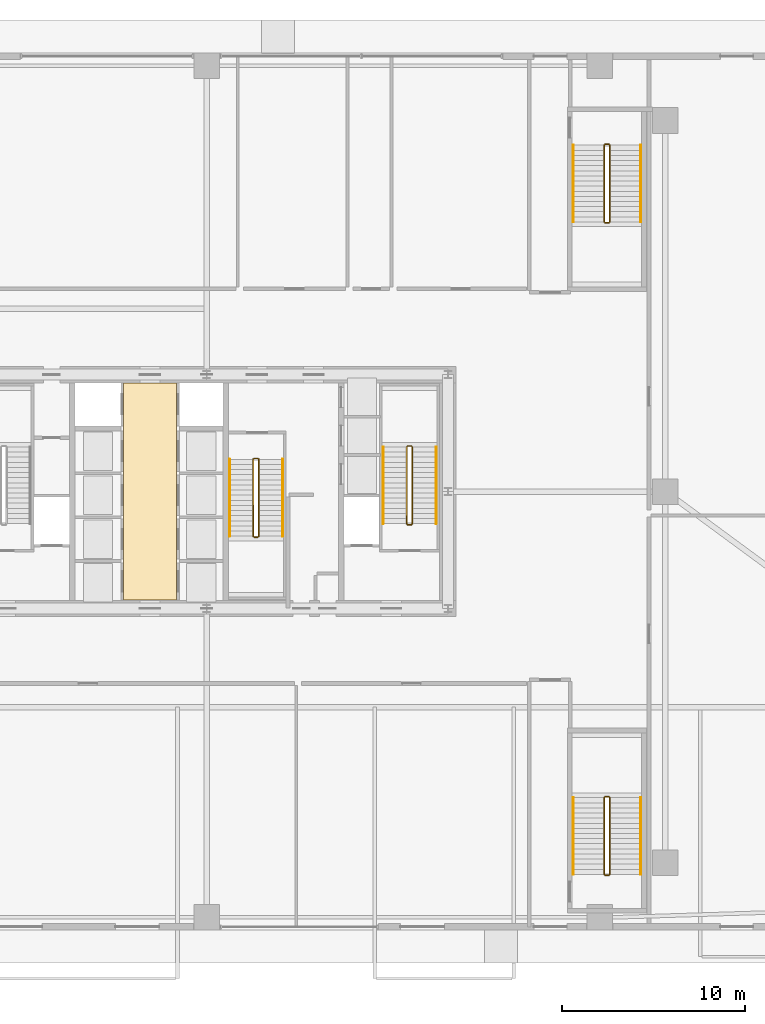
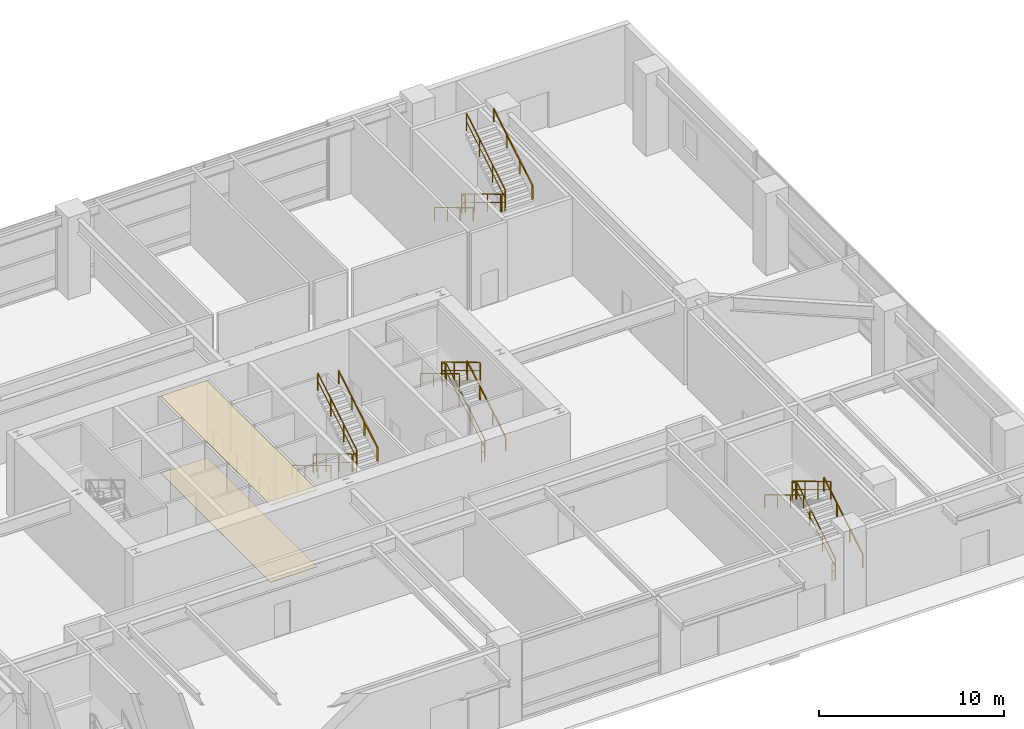
# One storey, part 31 of 32: 24 railings, 2 coverings.
"""IFC4 building model written with IfcOpenShell, lengths in metres."""

from ifc_helpers import new_model, si_unit, direction, frame, origin, origin_2d, place, context, subcontext, project, spatial, polyline, rectangle, outline, extrude, source, transform, mapped, material, layer, layer_set, type_object, element, save


model = new_model("IFC4")

# Units and contexts
model_context = context("Model", 3, precision=1e-05, world=origin(), true_north=direction((0.0, 1.0)))
body_context = subcontext(model_context, "Body", "Model", "MODEL_VIEW")
ifc_project = project(units=[si_unit("LENGTHUNIT", "METRE"), si_unit("AREAUNIT", "SQUARE_METRE"), si_unit("VOLUMEUNIT", "CUBIC_METRE"), si_unit("PLANEANGLEUNIT", "RADIAN"), si_unit("MASSUNIT", "GRAM", prefix="KILO"), si_unit("THERMODYNAMICTEMPERATUREUNIT", "KELVIN"), si_unit("POWERUNIT", "WATT")], contexts=[model_context])

# Site, building, storey
site_placement = place(None, origin())
site = spatial("IfcSite", under=ifc_project, at=site_placement, CompositionType="ELEMENT")
building_placement = place(site_placement, origin())
building = spatial("IfcBuilding", under=site, at=building_placement, Name="Yuzanri Waterfront Tower", CompositionType="ELEMENT")
storey_placement = place(building_placement, origin())
storey = spatial("IfcBuildingStorey", under=building, at=storey_placement, Name="L01", CompositionType="ELEMENT", Elevation=0.0)

# Coverings
ifc_material_1 = material(Name="Anodized Architectural Bronze", Category="metal")
ifc_layer_1 = layer(ifc_material_1, 0.0400390625)
ifc_layer_set_1 = layer_set([ifc_layer_1], Name="Anodized Architectural Bronze")
covering_type_1 = type_object("IfcCoveringType", Name="Anodized Bronze Linear Baffle Lobby Ceiling 40", PredefinedType="CEILING", material=ifc_layer_set_1)
covering_1_placement = place(storey_placement, frame((0.0, 0.0, 5.080078125)))
element("IfcCovering", 1, at=covering_1_placement, inside=storey, type_object=covering_type_1, Name="L01 Lift Lobby Bronze Baffle Ceiling", PredefinedType="CEILING", context=body_context, shape_type="SweptSolid", body=[
    extrude(outline(polyline([(32.449951171875, 19.860107421875), (35.35009765625, 19.860107421875), (35.35009765625, 31.739990234375), (32.449951171875, 31.739990234375), (32.449951171875, 19.860107421875)])), origin(), (0.0, 0.0, 1.0), 0.0400390625),
])
ifc_material_2 = material(Name="Honed Cream Limestone", Category="masonry")
ifc_layer_2 = layer(ifc_material_2, 0.034912109375)
ifc_layer_set_2 = layer_set([ifc_layer_2], Name="Honed Cream Limestone")
covering_type_2 = type_object("IfcCoveringType", Name="Honed Limestone Lobby Floor Finish 35", PredefinedType="FLOORING", material=ifc_layer_set_2)
covering_2_placement = place(storey_placement, origin())
element("IfcCovering", 2, at=covering_2_placement, inside=storey, type_object=covering_type_2, Name="L01 Lift Lobby Limestone Floor Finish", PredefinedType="FLOORING", context=body_context, shape_type="SweptSolid", body=[
    extrude(outline(polyline([(32.449951171875, 19.860107421875), (35.35009765625, 19.860107421875), (35.35009765625, 31.739990234375), (32.449951171875, 31.739990234375), (32.449951171875, 19.860107421875)])), origin(), (0.0, 0.0, 1.0), 0.034912109375),
])

# Railings
ifc_material_3 = material(Name="Painted Galvanized Fire Steel", Category="steel")
ifc_layer_3 = layer(ifc_material_3, 0.06005859375)
ifc_layer_set_3 = layer_set([ifc_layer_3], Name="Painted Galvanized Fire Steel")
railing_type_1 = type_object("IfcRailingType", Name="Painted Steel Stairwell Guardrail 1120", PredefinedType="GUARDRAIL", material=ifc_layer_set_3)
shared_shape_1 = source(origin(), body_context, "Body", "SweptSolid", [
    extrude(rectangle(XDim=0.050048828125, YDim=0.050048828125, at=origin_2d()), frame((0.0, 0.0, 1.1748046875), z_axis=(-1.0, 0.0, 0.0), x_axis=(0.0, -1.0, 0.0)), (0.0, 0.0, 1.0), 0.199951171875),
    extrude(rectangle(XDim=0.035888671875, YDim=0.030029296875, at=origin_2d()), frame((0.0, 0.0, 0.6240234375), z_axis=(-1.0, 0.0, 0.0), x_axis=(0.0, -1.0, 0.0)), (0.0, 0.0, 1.0), 0.199951171875),
    extrude(rectangle(XDim=0.0458984375, YDim=0.0458984375, at=origin_2d()), origin(), (0.0, 0.0, 1.0), 1.14990234375),
    extrude(rectangle(XDim=0.0458984375, YDim=0.0458984375, at=origin_2d()), frame((-0.199951171875, 0.0, 0.0)), (0.0, 0.0, 1.0), 1.14990234375),
])
for number, where, name in (
    (3, (48.199951171875, 28.2900390625, 2.699951171875), "L01 ST-02 stair guard 2"),
    (4, (48.199951171875, 23.989990234375, 0.0), "L01 ST-02 stair guard 4"),
    (5, (59.0, 9.10009765625, 2.699951171875), "L01 PST-02 stair guard 2"),
    (6, (59.0, 4.800048828125, 0.0), "L01 PST-02 stair guard 4"),
):
    element("IfcRailing", number, at=place(storey_placement, frame(where)), inside=storey, type_object=railing_type_1, Name=name, PredefinedType="GUARDRAIL", context=body_context, shape_type="MappedRepresentation", body=[
        mapped(shared_shape_1, transform((0.0, 0.0, 0.0), scale=1.0)),
    ])
shared_shape_2 = source(origin(), body_context, "Body", "SweptSolid", [
    extrude(rectangle(XDim=0.050048828125, YDim=0.050048828125, at=origin_2d()), frame((0.0, 0.0, 1.1748046875), z_axis=(0.0, 0.856476492594, 0.516186030065), x_axis=(-1.0, 0.0, 0.0)), (0.0, 0.0, 1.0), 4.90380859375),
    extrude(rectangle(XDim=0.035888671875, YDim=0.030029296875, at=origin_2d()), frame((0.0, 0.0, 0.6240234375), z_axis=(0.0, 0.856476492594, 0.516186030065), x_axis=(-1.0, 0.0, 0.0)), (0.0, 0.0, 1.0), 4.90380859375),
    extrude(rectangle(XDim=0.0458984375, YDim=0.0458984375, at=origin_2d()), origin(), (0.0, 0.0, 1.0), 1.14990234375),
    extrude(rectangle(XDim=0.0458984375, YDim=0.0458984375, at=origin_2d()), frame((0.0, 1.39990234375, 0.84375)), (0.0, 0.0, 1.0), 1.14990234375),
    extrude(rectangle(XDim=0.0458984375, YDim=0.0458984375, at=origin_2d()), frame((0.0, 2.800048828125, 1.6875)), (0.0, 0.0, 1.0), 1.14990234375),
    extrude(rectangle(XDim=0.0458984375, YDim=0.0458984375, at=origin_2d()), frame((0.0, 4.199951171875, 2.53125)), (0.0, 0.0, 1.0), 1.14990234375),
])
for number, where, name in (
    (7, (48.25, 24.0400390625, 0.168701171875), "L01 ST-02 stair guard 1"),
    (8, (39.85009765625, 23.360107421875, 2.86865234375), "L01 ST-03 stair guard 3"),
    (9, (59.050048828125, 4.85009765625, 0.168701171875), "L01 PST-02 stair guard 1"),
    (10, (59.050048828125, 40.550048828125, 2.86865234375), "L01 PST-03 stair guard 3"),
):
    element("IfcRailing", number, at=place(storey_placement, frame(where)), inside=storey, type_object=railing_type_1, Name=name, PredefinedType="GUARDRAIL", context=body_context, shape_type="MappedRepresentation", body=[
        mapped(shared_shape_2, transform((0.0, 0.0, 0.0), scale=1.0)),
    ])
shared_shape_3 = source(origin(), body_context, "Body", "SweptSolid", [
    extrude(rectangle(XDim=0.050048828125, YDim=0.050048828125, at=origin_2d()), frame((0.0, 0.0, 1.1748046875), z_axis=(0.0, -0.856476492594, 0.516186030065), x_axis=(1.0, 0.0, 0.0)), (0.0, 0.0, 1.0), 4.90380859375),
    extrude(rectangle(XDim=0.035888671875, YDim=0.030029296875, at=origin_2d()), frame((0.0, 0.0, 0.6240234375), z_axis=(0.0, -0.856476492594, 0.516186030065), x_axis=(1.0, 0.0, 0.0)), (0.0, 0.0, 1.0), 4.90380859375),
    extrude(rectangle(XDim=0.0458984375, YDim=0.0458984375, at=origin_2d()), origin(), (0.0, 0.0, 1.0), 1.14990234375),
    extrude(rectangle(XDim=0.0458984375, YDim=0.0458984375, at=origin_2d()), frame((0.0, -1.39990234375, 0.84375)), (0.0, 0.0, 1.0), 1.14990234375),
    extrude(rectangle(XDim=0.0458984375, YDim=0.0458984375, at=origin_2d()), frame((0.0, -2.800048828125, 1.6875)), (0.0, 0.0, 1.0), 1.14990234375),
    extrude(rectangle(XDim=0.0458984375, YDim=0.0458984375, at=origin_2d()), frame((0.0, -4.199951171875, 2.53125)), (0.0, 0.0, 1.0), 1.14990234375),
])
for number, where, name in (
    (11, (47.949951171875, 28.239990234375, 2.86865234375), "L01 ST-02 stair guard 3"),
    (12, (39.550048828125, 27.56005859375, 0.168701171875), "L01 ST-03 stair guard 1"),
    (13, (58.75, 9.050048828125, 2.86865234375), "L01 PST-02 stair guard 3"),
    (14, (58.75, 44.75, 0.168701171875), "L01 PST-03 stair guard 1"),
):
    element("IfcRailing", number, at=place(storey_placement, frame(where)), inside=storey, type_object=railing_type_1, Name=name, PredefinedType="GUARDRAIL", context=body_context, shape_type="MappedRepresentation", body=[
        mapped(shared_shape_3, transform((0.0, 0.0, 0.0), scale=1.0)),
    ])
ifc_material_4 = material(Name="Anodized Architectural Bronze", Category="metal")
ifc_layer_4 = layer(ifc_material_4, 0.050048828125)
ifc_layer_set_4 = layer_set([ifc_layer_4], Name="Anodized Architectural Bronze")
railing_type_2 = type_object("IfcRailingType", Name="Brushed Bronze Stair Pitch Handrail 920", PredefinedType="HANDRAIL", material=ifc_layer_set_4)
shared_shape_4 = source(origin(), body_context, "Body", "SweptSolid", [
    extrude(rectangle(XDim=0.050048828125, YDim=0.050048828125, at=origin_2d()), frame((0.0, 0.0, 0.875), z_axis=(0.0, 0.856476492594, 0.516186030065), x_axis=(-1.0, 0.0, 0.0)), (0.0, 0.0, 1.0), 4.90380859375),
    extrude(rectangle(XDim=0.0458984375, YDim=0.0458984375, at=origin_2d()), origin(), (0.0, 0.0, 1.0), 0.849853515625),
    extrude(rectangle(XDim=0.0458984375, YDim=0.0458984375, at=origin_2d()), frame((0.0, 1.39990234375, 0.84375)), (0.0, 0.0, 1.0), 0.849853515625),
    extrude(rectangle(XDim=0.0458984375, YDim=0.0458984375, at=origin_2d()), frame((0.0, 2.800048828125, 1.6875)), (0.0, 0.0, 1.0), 0.849853515625),
    extrude(rectangle(XDim=0.0458984375, YDim=0.0458984375, at=origin_2d()), frame((0.0, 4.199951171875, 2.53125)), (0.0, 0.0, 1.0), 0.849853515625),
])
for number, where, name in (
    (15, (49.550048828125, 24.0400390625, 0.168701171875), "L01 ST-02 stair handrail 1"),
    (16, (41.14990234375, 23.360107421875, 2.86865234375), "L01 ST-03 stair handrail 2"),
    (17, (60.75, 4.85009765625, 0.168701171875), "L01 PST-02 stair handrail 1"),
    (18, (60.75, 40.550048828125, 2.86865234375), "L01 PST-03 stair handrail 2"),
):
    element("IfcRailing", number, at=place(storey_placement, frame(where)), inside=storey, type_object=railing_type_2, Name=name, PredefinedType="HANDRAIL", context=body_context, shape_type="MappedRepresentation", body=[
        mapped(shared_shape_4, transform((0.0, 0.0, 0.0), scale=1.0)),
    ])
shared_shape_5 = source(origin(), body_context, "Body", "SweptSolid", [
    extrude(rectangle(XDim=0.050048828125, YDim=0.050048828125, at=origin_2d()), frame((0.0, 0.0, 0.875), z_axis=(0.0, -0.856476492594, 0.516186030065), x_axis=(1.0, 0.0, 0.0)), (0.0, 0.0, 1.0), 4.90380859375),
    extrude(rectangle(XDim=0.0458984375, YDim=0.0458984375, at=origin_2d()), origin(), (0.0, 0.0, 1.0), 0.849853515625),
    extrude(rectangle(XDim=0.0458984375, YDim=0.0458984375, at=origin_2d()), frame((0.0, -1.39990234375, 0.84375)), (0.0, 0.0, 1.0), 0.849853515625),
    extrude(rectangle(XDim=0.0458984375, YDim=0.0458984375, at=origin_2d()), frame((0.0, -2.800048828125, 1.6875)), (0.0, 0.0, 1.0), 0.849853515625),
    extrude(rectangle(XDim=0.0458984375, YDim=0.0458984375, at=origin_2d()), frame((0.0, -4.199951171875, 2.53125)), (0.0, 0.0, 1.0), 0.849853515625),
])
for number, where, name in (
    (19, (46.64990234375, 28.239990234375, 2.86865234375), "L01 ST-02 stair handrail 2"),
    (20, (38.25, 27.56005859375, 0.168701171875), "L01 ST-03 stair handrail 1"),
    (21, (57.050048828125, 9.050048828125, 2.86865234375), "L01 PST-02 stair handrail 2"),
    (22, (57.050048828125, 44.75, 0.168701171875), "L01 PST-03 stair handrail 1"),
):
    element("IfcRailing", number, at=place(storey_placement, frame(where)), inside=storey, type_object=railing_type_2, Name=name, PredefinedType="HANDRAIL", context=body_context, shape_type="MappedRepresentation", body=[
        mapped(shared_shape_5, transform((0.0, 0.0, 0.0), scale=1.0)),
    ])
shared_shape_6 = source(origin(), body_context, "Body", "SweptSolid", [
    extrude(rectangle(XDim=0.050048828125, YDim=0.050048828125, at=origin_2d()), frame((0.0, 0.0, 1.1748046875), z_axis=(1.0, 0.0, 0.0), x_axis=(0.0, 1.0, 0.0)), (0.0, 0.0, 1.0), 0.199951171875),
    extrude(rectangle(XDim=0.035888671875, YDim=0.030029296875, at=origin_2d()), frame((0.0, 0.0, 0.6240234375), z_axis=(1.0, 0.0, 0.0), x_axis=(0.0, 1.0, 0.0)), (0.0, 0.0, 1.0), 0.199951171875),
    extrude(rectangle(XDim=0.0458984375, YDim=0.0458984375, at=origin_2d()), origin(), (0.0, 0.0, 1.0), 1.14990234375),
    extrude(rectangle(XDim=0.0458984375, YDim=0.0458984375, at=origin_2d()), frame((0.199951171875, 0.0, 0.0)), (0.0, 0.0, 1.0), 1.14990234375),
])
for number, where, name in (
    (23, (39.60009765625, 23.31005859375, 2.699951171875), "L01 ST-03 stair guard 2"),
    (24, (39.60009765625, 27.610107421875, 0.0), "L01 ST-03 stair guard 4"),
    (25, (58.800048828125, 40.5, 2.699951171875), "L01 PST-03 stair guard 2"),
    (26, (58.800048828125, 44.800048828125, 0.0), "L01 PST-03 stair guard 4"),
):
    element("IfcRailing", number, at=place(storey_placement, frame(where)), inside=storey, type_object=railing_type_1, Name=name, PredefinedType="GUARDRAIL", context=body_context, shape_type="MappedRepresentation", body=[
        mapped(shared_shape_6, transform((0.0, 0.0, 0.0), scale=1.0)),
    ])

save(model, "model.ifc")
